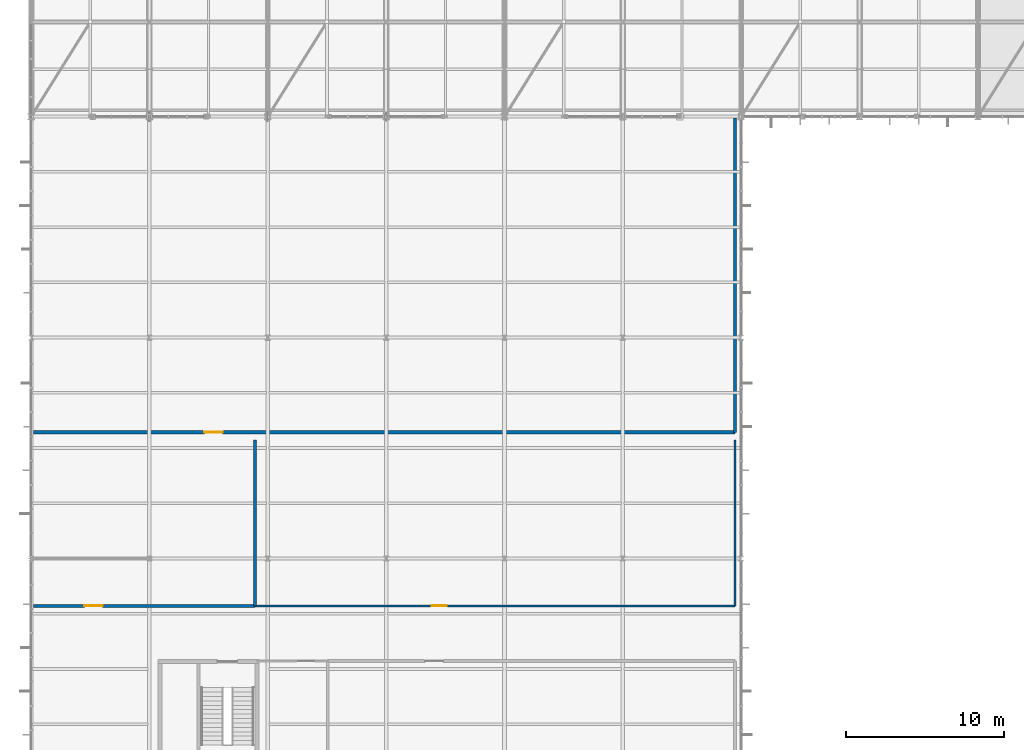
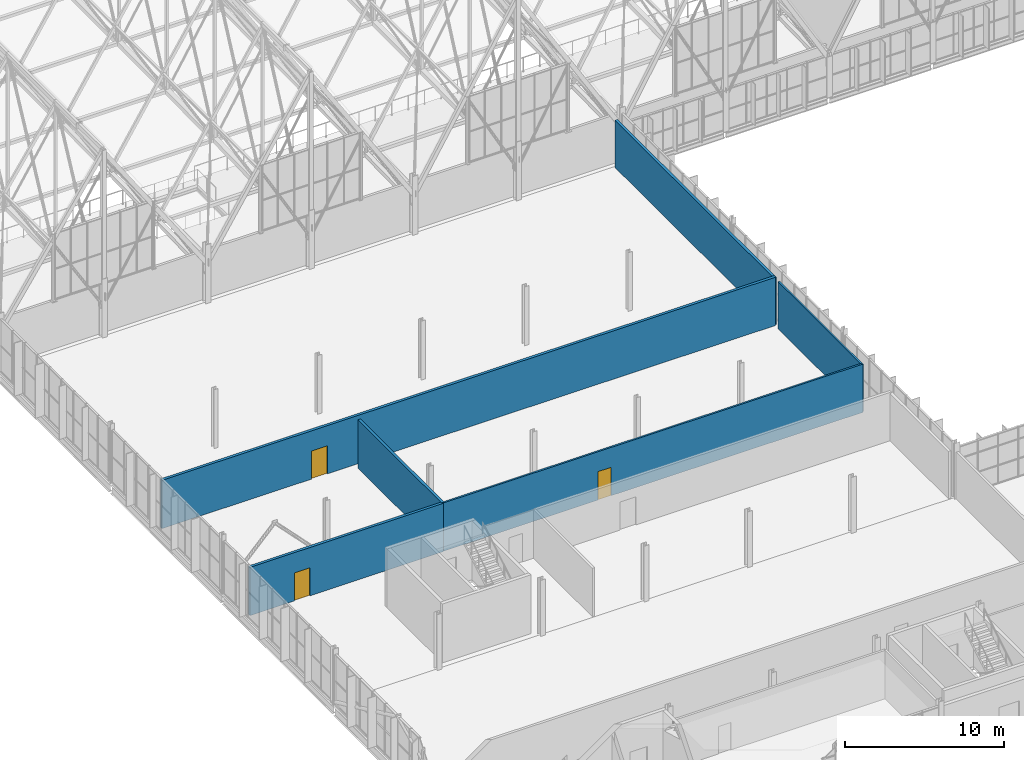
# One storey, part 306 of 324: 6 walls, 3 doors, 3 openings.
"""IFC4 building model written with IfcOpenShell, lengths in metres."""

from ifc_helpers import new_model, si_unit, direction, frame, frame_2d, origin, place, context, subcontext, project, spatial, rectangle, extrude, material, layer, layer_set, type_object, element, fill, save


model = new_model("IFC4")

# Units and contexts
model_context = context("Model", 3, precision=1e-05, world=origin(), true_north=direction((0.0, 1.0)))
body_context = subcontext(model_context, "Body", "Model", "MODEL_VIEW")
ifc_project = project(units=[si_unit("LENGTHUNIT", "METRE"), si_unit("AREAUNIT", "SQUARE_METRE"), si_unit("VOLUMEUNIT", "CUBIC_METRE"), si_unit("PLANEANGLEUNIT", "RADIAN"), si_unit("MASSUNIT", "GRAM", prefix="KILO")], contexts=[model_context])

# Site, building, storey
site_placement = place(None, origin())
site = spatial("IfcSite", under=ifc_project, at=site_placement, CompositionType="ELEMENT")
building_placement = place(site_placement, origin())
building = spatial("IfcBuilding", under=site, at=building_placement, Name="Solvenia Promenade Tram Depot", CompositionType="ELEMENT")
storey_placement = place(building_placement, frame((0.0, 0.0, 4.5)))
storey = spatial("IfcBuildingStorey", under=building, at=storey_placement, Name="L01", CompositionType="ELEMENT", Elevation=4.5)

# Wall, opening, door
ifc_material_1 = material(Name="Concrete blockwork masonry", Category="masonry")
ifc_layer_1 = layer(ifc_material_1, 0.195068359375, Name="Concrete blockwork masonry", Category="masonry")
ifc_layer_set_1 = layer_set([ifc_layer_1], Name="Concrete blockwork masonry")
wall_type_1 = type_object("IfcWallType", Name="Wall-Fire-195", PredefinedType="PARTITIONING", material=ifc_layer_set_1)
wall_1_placement = place(storey_placement, frame((0.159912109375, 46.0, 0.0), z_axis=(0.0, 0.0, 1.0), x_axis=(1.0, 0.0, 0.0)))
wall_1 = element("IfcWall", 1, at=wall_1_placement, inside=storey, type_object=wall_type_1, Name="Water Reclamation Plant Partition WP-L01-066", PredefinedType="PARTITIONING", context=body_context, shape_type="SweptSolid", body=[
    extrude(rectangle(XDim=44.440185546875, YDim=0.195068359375, at=frame_2d((22.22021484375, 0.0))), origin(), (0.0, 0.0, 1.0), 3.699951171875),
])
opening_1_placement = place(wall_1_placement, frame((10.822998046875, 0.0, 0.0)))
opening_1 = element("IfcOpeningElement", 2, at=opening_1_placement, cuts=wall_1, Name="Opening D-FD60", PredefinedType="OPENING", context=body_context, shape_type="SweptSolid", body=[
    extrude(rectangle(XDim=1.14990234375, YDim=2.14990234375, at=frame_2d((0.574951171875, 1.074951171875))), frame((0.0, 0.107421875, 0.0), z_axis=(0.0, -1.0, 0.0), x_axis=(1.0, 0.0, 0.0)), (0.0, 0.0, 1.0), 0.215087890625),
])
ifc_material_2 = material(Name="Galvanized painted sheet steel", Category="steel")
door_type_1 = type_object("IfcDoorType", Name="Door-Fire-FD60", OperationType="NOTDEFINED", PredefinedType="DOOR", material=ifc_material_2)
door_1_placement = place(opening_1_placement, origin())
door_1 = element("IfcDoor", 3, at=door_1_placement, inside=storey, type_object=door_type_1, Name="Door to Water Reclamation Plant", OperationType="SINGLE_SWING_LEFT", OverallHeight=2.14990234375, OverallWidth=1.14990234375, PredefinedType="DOOR", context=body_context, shape_type="SweptSolid", body=[
    extrude(rectangle(XDim=1.14990234375, YDim=2.14990234375, at=frame_2d((0.574951171875, 1.074951171875))), frame((0.0, 0.02490234375, 0.0), z_axis=(0.0, -1.0, 0.0), x_axis=(1.0, 0.0, 0.0)), (0.0, 0.0, 1.0), 0.050048828125),
])
fill(opening_1, door_1)

# Wall
wall_2_placement = place(storey_placement, frame((44.60009765625, 46.0, 0.0), z_axis=(0.0, 0.0, 1.0), x_axis=(0.0, 1.0, 0.0)))
element("IfcWall", 4, at=wall_2_placement, inside=storey, type_object=wall_type_1, Name="Water Reclamation Plant Dividing Wall WP-L01-067", PredefinedType="PARTITIONING", context=body_context, shape_type="SweptSolid", body=[
    extrude(rectangle(XDim=19.919921875, YDim=0.195068359375, at=frame_2d((9.9599609375, 0.0))), origin(), (0.0, 0.0, 1.0), 3.613037109375),
])

# Wall, opening, door
wall_3_placement = place(storey_placement, frame((0.159912109375, 35.0, 0.0), z_axis=(0.0, 0.0, 1.0), x_axis=(1.0, 0.0, 0.0)))
wall_3 = element("IfcWall", 5, at=wall_3_placement, inside=storey, type_object=wall_type_1, Name="Reclaimed Water Tank Hall Partition WP-L01-070", PredefinedType="PARTITIONING", context=body_context, shape_type="SweptSolid", body=[
    extrude(rectangle(XDim=14.0400390625, YDim=0.195068359375, at=frame_2d((7.02001953125, 0.0))), origin(), (0.0, 0.0, 1.0), 3.699951171875),
])
opening_2_placement = place(wall_3_placement, frame((3.221923828125, 0.0, 0.0)))
opening_2 = element("IfcOpeningElement", 6, at=opening_2_placement, cuts=wall_3, Name="Opening D-FD60", PredefinedType="OPENING", context=body_context, shape_type="SweptSolid", body=[
    extrude(rectangle(XDim=1.14990234375, YDim=2.14990234375, at=frame_2d((0.574951171875, 1.074951171875))), frame((0.0, 0.107421875, 0.0), z_axis=(0.0, -1.0, 0.0), x_axis=(1.0, 0.0, 0.0)), (0.0, 0.0, 1.0), 0.215087890625),
])
door_2_placement = place(opening_2_placement, origin())
door_2 = element("IfcDoor", 7, at=door_2_placement, inside=storey, type_object=door_type_1, Name="Door to Reclaimed Water Tank Hall", OperationType="SINGLE_SWING_LEFT", OverallHeight=2.14990234375, OverallWidth=1.14990234375, PredefinedType="DOOR", context=body_context, shape_type="SweptSolid", body=[
    extrude(rectangle(XDim=1.14990234375, YDim=2.14990234375, at=frame_2d((0.574951171875, 1.074951171875))), frame((0.0, 0.02490234375, 0.0), z_axis=(0.0, -1.0, 0.0), x_axis=(1.0, 0.0, 0.0)), (0.0, 0.0, 1.0), 0.050048828125),
])
fill(opening_2, door_2)

# Walls
wall_4_placement = place(storey_placement, frame((14.199951171875, 35.0, 0.0), z_axis=(0.0, 0.0, 1.0), x_axis=(0.0, 1.0, 0.0)))
element("IfcWall", 8, at=wall_4_placement, inside=storey, type_object=wall_type_1, Name="Reclaimed Water Tank Hall Dividing Wall WP-L01-071", PredefinedType="PARTITIONING", context=body_context, shape_type="SweptSolid", body=[
    extrude(rectangle(XDim=10.5, YDim=0.195068359375, at=frame_2d((5.25, 0.0))), origin(), (0.0, 0.0, 1.0), 3.699951171875),
])
ifc_material_3 = material(Name="Gypsum board acoustic partition", Category="other")
ifc_layer_2 = layer(ifc_material_3, 0.114013671875, Name="Gypsum board acoustic partition", Category="other")
ifc_layer_set_2 = layer_set([ifc_layer_2], Name="Gypsum board acoustic partition")
wall_type_2 = type_object("IfcWallType", Name="Wall-Part-114", PredefinedType="PARTITIONING", material=ifc_layer_set_2)
wall_5_placement = place(storey_placement, frame((44.60009765625, 35.0, 0.0), z_axis=(0.0, 0.0, 1.0), x_axis=(0.0, 1.0, 0.0)))
element("IfcWall", 9, at=wall_5_placement, inside=storey, type_object=wall_type_2, Name="Filtration and Dosing Room Dividing Wall WP-L01-069", PredefinedType="PARTITIONING", context=body_context, shape_type="SweptSolid", body=[
    extrude(rectangle(XDim=10.5, YDim=0.114013671875, at=frame_2d((5.25, 0.0))), origin(), (0.0, 0.0, 1.0), 3.613037109375),
])

# Wall, opening, door
ifc_layer_3 = layer(ifc_material_3, 0.1298828125, Name="Gypsum board acoustic partition", Category="other")
ifc_layer_set_3 = layer_set([ifc_layer_3], Name="Gypsum board acoustic partition")
wall_type_3 = type_object("IfcWallType", Name="Wall-Part-130", PredefinedType="PARTITIONING", material=ifc_layer_set_3)
wall_6_placement = place(storey_placement, frame((14.199951171875, 35.0, 0.0), z_axis=(0.0, 0.0, 1.0), x_axis=(1.0, 0.0, 0.0)))
wall_6 = element("IfcWall", 10, at=wall_6_placement, inside=storey, type_object=wall_type_3, Name="Filtration and Dosing Room Partition WP-L01-068", PredefinedType="PARTITIONING", context=body_context, shape_type="SweptSolid", body=[
    extrude(rectangle(XDim=30.400146484375, YDim=0.1298828125, at=frame_2d((15.2001953125, 0.0))), origin(), (0.0, 0.0, 1.0), 3.699951171875),
])
opening_3_placement = place(wall_6_placement, frame((11.18310546875, 0.0, 0.0)))
opening_3 = element("IfcOpeningElement", 11, at=opening_3_placement, cuts=wall_6, Name="Opening DR-40", PredefinedType="OPENING", context=body_context, shape_type="SweptSolid", body=[
    extrude(rectangle(XDim=0.969970703125, YDim=2.179931640625, at=frame_2d((0.48486328125, 1.08984375))), frame((0.0, 0.074951171875, 0.0), z_axis=(0.0, -1.0, 0.0), x_axis=(1.0, 0.0, 0.0)), (0.0, 0.0, 1.0), 0.14990234375),
])
door_type_2 = type_object("IfcDoorType", Name="Door-Room-970x2180", OperationType="NOTDEFINED", PredefinedType="DOOR", material=ifc_material_2)
door_3_placement = place(opening_3_placement, origin())
door_3 = element("IfcDoor", 12, at=door_3_placement, inside=storey, type_object=door_type_2, Name="Door to Filtration and Dosing Room", OperationType="SINGLE_SWING_RIGHT", OverallHeight=2.179931640625, OverallWidth=0.969970703125, PredefinedType="DOOR", context=body_context, shape_type="SweptSolid", body=[
    extrude(rectangle(XDim=0.969970703125, YDim=2.179931640625, at=frame_2d((0.48486328125, 1.08984375))), frame((0.0, 0.02490234375, 0.0), z_axis=(0.0, -1.0, 0.0), x_axis=(1.0, 0.0, 0.0)), (0.0, 0.0, 1.0), 0.050048828125),
])
fill(opening_3, door_3)

save(model, "model.ifc")
